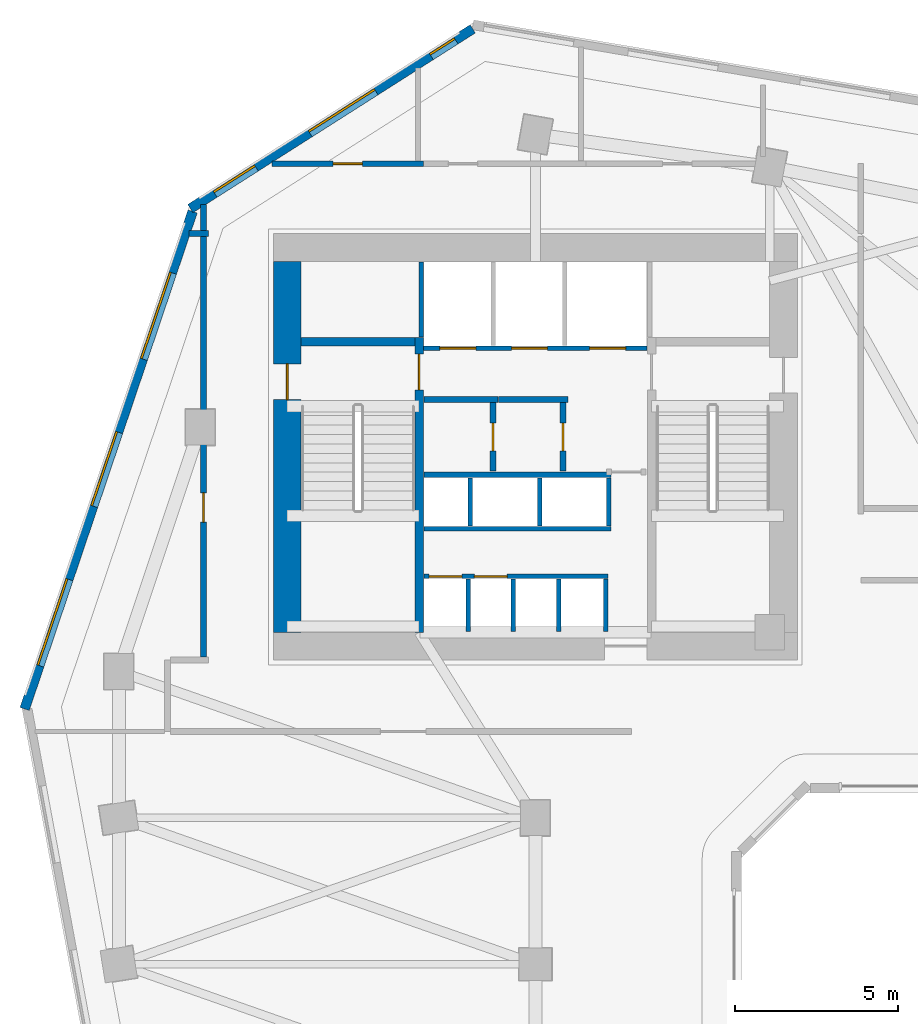
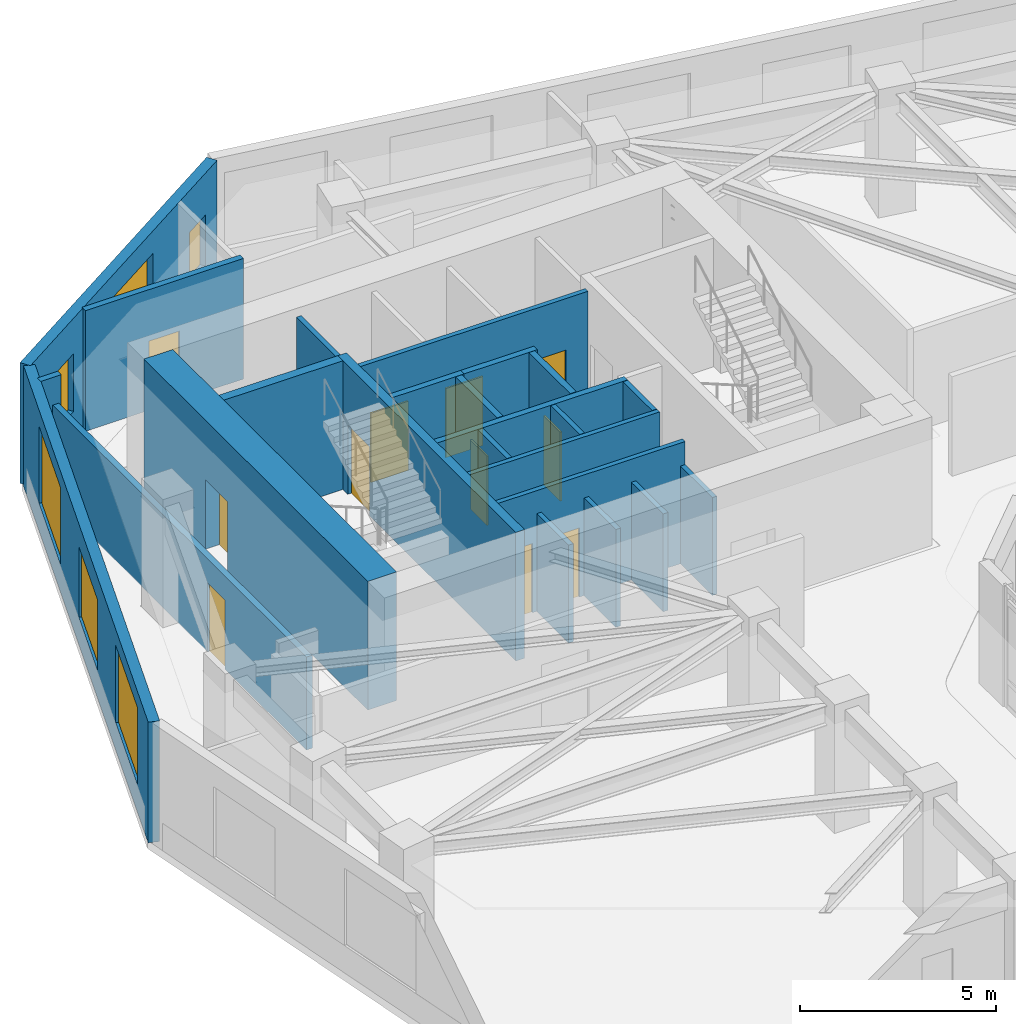
# One storey, part 6 of 11: 24 walls, 11 doors, 6 windows, 17 openings.
"""IFC4 building model written with IfcOpenShell, lengths in metres."""

from ifc_helpers import new_model, si_unit, direction, frame, frame_2d, origin, place, context, subcontext, project, spatial, rectangle, extrude, source, transform, mapped, material, layer, layer_set, type_object, element, fill, save


model = new_model("IFC4")

# Units and contexts
model_context = context("Model", 3, precision=1e-05, world=origin(), true_north=direction((0.0, 1.0)))
body_context = subcontext(model_context, "Body", "Model", "MODEL_VIEW")
ifc_project = project(units=[si_unit("LENGTHUNIT", "METRE"), si_unit("AREAUNIT", "SQUARE_METRE"), si_unit("VOLUMEUNIT", "CUBIC_METRE"), si_unit("PLANEANGLEUNIT", "RADIAN"), si_unit("MASSUNIT", "GRAM", prefix="KILO")], contexts=[model_context])

# Site, building, storey
site_placement = place(None, origin())
site = spatial("IfcSite", under=ifc_project, at=site_placement, CompositionType="ELEMENT")
building_placement = place(site_placement, origin())
building = spatial("IfcBuilding", under=site, at=building_placement, Name="Calvemar Wedge Station Tower", CompositionType="ELEMENT")
storey_placement = place(building_placement, frame((0.0, 0.0, 35.0)))
storey = spatial("IfcBuildingStorey", under=building, at=storey_placement, Name="L08", CompositionType="ELEMENT", Elevation=35.0)

# Wall, opening, door
ifc_material_1 = material(Name="Concrete C50", Category="concrete")
ifc_layer_1 = layer(ifc_material_1, 0.260009765625)
ifc_layer_set_1 = layer_set([ifc_layer_1], Name="Concrete C50")
wall_type_1 = type_object("IfcWallType", Name="SW-CORE-260", PredefinedType="SHEAR", material=ifc_layer_set_1)
wall_1_placement = place(storey_placement, frame((20.22998046875, 34.199951171875, 0.0), z_axis=(0.0, 0.0, 1.0), x_axis=(0.0, 1.0, 0.0)))
wall_1 = element("IfcWall", 1, at=wall_1_placement, inside=storey, type_object=wall_type_1, Name="Storey L08 Core Shear Wall SPINE-W", PredefinedType="SHEAR", context=body_context, shape_type="SweptSolid", body=[
    extrude(rectangle(XDim=9.06005859375, YDim=0.260009765625, at=frame_2d((4.530029296875, 0.0))), origin(), (0.0, 0.0, 1.0), 4.0),
])
shared_shape_1 = source(origin(), body_context, "Body", "SweptSolid", [
    extrude(rectangle(XDim=1.10009765625, YDim=2.14990234375, at=frame_2d((0.550048828125, 1.074951171875))), frame((0.0, 0.14013671875, 0.0), z_axis=(0.0, -1.0, 0.0), x_axis=(1.0, 0.0, 0.0)), (0.0, 0.0, 1.0), 0.280029296875),
])
opening_1_placement = place(wall_1_placement, frame((7.449951171875, 0.0, 0.0)))
opening_1 = element("IfcOpeningElement", 2, at=opening_1_placement, cuts=wall_1, Name="Opening FD-90", PredefinedType="OPENING", context=body_context, shape_type="MappedRepresentation", body=[
    mapped(shared_shape_1, transform((0.0, 0.0, 0.0), scale=1.0)),
])
ifc_material_2 = material(Name="Galvanized fire-rated steel door leaf P-90", Category="steel")
door_type_1 = type_object("IfcDoorType", Name="DR-FD90-1100", OperationType="NOTDEFINED", PredefinedType="DOOR", material=ifc_material_2)
shared_shape_2 = source(origin(), body_context, "Body", "SweptSolid", [
    extrude(rectangle(XDim=1.10009765625, YDim=2.14990234375, at=frame_2d((0.550048828125, 1.074951171875))), frame((0.0, 0.02490234375, 0.0), z_axis=(0.0, -1.0, 0.0), x_axis=(1.0, 0.0, 0.0)), (0.0, 0.0, 1.0), 0.050048828125),
])
door_1_placement = place(opening_1_placement, origin())
door_1 = element("IfcDoor", 3, at=door_1_placement, inside=storey, type_object=door_type_1, Name="L08 FF Lobby to Stair ST-C1 Door", OperationType="SINGLE_SWING_LEFT", OverallHeight=2.14990234375, OverallWidth=1.10009765625, PredefinedType="DOOR", context=body_context, shape_type="MappedRepresentation", body=[
    mapped(shared_shape_2, transform((0.0, 0.0, 0.0), scale=1.0)),
])
fill(opening_1, door_1)

# Wall
wall_2_placement = place(storey_placement, frame((16.60009765625, 43.1298828125, 0.0), z_axis=(0.0, 0.0, 1.0), x_axis=(1.0, 0.0, 0.0)))
element("IfcWall", 4, at=wall_2_placement, inside=storey, type_object=wall_type_1, Name="Storey L08 Core Shear Wall STC1-N", PredefinedType="SHEAR", context=body_context, shape_type="SweptSolid", body=[
    extrude(rectangle(XDim=3.5, YDim=0.260009765625, at=frame_2d((1.75, 0.0))), origin(), (0.0, 0.0, 1.0), 4.0),
])

# Wall, opening, door
ifc_material_3 = material(Name="Concrete C80", Category="concrete")
ifc_layer_2 = layer(ifc_material_3, 0.85009765625)
ifc_layer_set_2 = layer_set([ifc_layer_2], Name="Concrete C80")
wall_type_2 = type_object("IfcWallType", Name="SW-CORE-850", PredefinedType="SHEAR", material=ifc_layer_set_2)
wall_3_placement = place(storey_placement, frame((16.175048828125, 34.199951171875, 0.0), z_axis=(0.0, 0.0, 1.0), x_axis=(0.0, 1.0, 0.0)))
wall_3 = element("IfcWall", 5, at=wall_3_placement, inside=storey, type_object=wall_type_2, Name="Storey L08 Core Shear Wall W", PredefinedType="SHEAR", context=body_context, shape_type="SweptSolid", body=[
    extrude(rectangle(XDim=11.400146484375, YDim=0.85009765625, at=frame_2d((5.7001953125, 0.0))), origin(), (0.0, 0.0, 1.0), 4.0),
])
shared_shape_3 = source(origin(), body_context, "Body", "SweptSolid", [
    extrude(rectangle(XDim=1.10009765625, YDim=2.14990234375, at=frame_2d((0.550048828125, 1.074951171875))), frame((0.0, 0.43505859375, 0.0), z_axis=(0.0, -1.0, 0.0), x_axis=(1.0, 0.0, 0.0)), (0.0, 0.0, 1.0), 0.8701171875),
])
opening_2_placement = place(wall_3_placement, frame((7.14990234375, 0.0, 0.0)))
opening_2 = element("IfcOpeningElement", 6, at=opening_2_placement, cuts=wall_3, Name="Opening FD-90", PredefinedType="OPENING", context=body_context, shape_type="MappedRepresentation", body=[
    mapped(shared_shape_3, transform((0.0, 0.0, 0.0), scale=1.0)),
])
door_2_placement = place(opening_2_placement, origin())
door_2 = element("IfcDoor", 7, at=door_2_placement, inside=storey, type_object=door_type_1, Name="L08 West Corridor to Exit Stair ST-C1 Door", OperationType="SINGLE_SWING_LEFT", OverallHeight=2.14990234375, OverallWidth=1.10009765625, PredefinedType="DOOR", context=body_context, shape_type="MappedRepresentation", body=[
    mapped(shared_shape_2, transform((0.0, 0.0, 0.0), scale=1.0)),
])
fill(opening_2, door_2)

# Walls
ifc_material_4 = material(Name="Double-stud fire-rated corridor partition")
ifc_layer_3 = layer(ifc_material_4, 0.179931640625)
ifc_layer_set_3 = layer_set([ifc_layer_3], Name="Double-stud fire-rated corridor partition")
wall_type_3 = type_object("IfcWallType", Name="W-CORR-180", PredefinedType="PARTITIONING", material=ifc_layer_set_3)
wall_4_placement = place(storey_placement, frame((22.659912109375, 41.35009765625, 0.0), z_axis=(0.0, 0.0, 1.0), x_axis=(-1.0, 0.0, 0.0)))
element("IfcWall", 8, at=wall_4_placement, inside=storey, type_object=wall_type_3, Name="Storey L08 Interior Partition WL-L08-001", PredefinedType="PARTITIONING", context=body_context, shape_type="SweptSolid", body=[
    extrude(rectangle(XDim=2.280029296875, YDim=0.179931640625, at=frame_2d((1.14013671875, 0.0))), origin(), (0.0, 0.0, 1.0), 3.75),
])
wall_5_placement = place(storey_placement, frame((24.81005859375, 41.35009765625, 0.0), z_axis=(0.0, 0.0, 1.0), x_axis=(-1.0, 0.0, 0.0)))
element("IfcWall", 9, at=wall_5_placement, inside=storey, type_object=wall_type_3, Name="Storey L08 Interior Partition WL-L08-002", PredefinedType="PARTITIONING", context=body_context, shape_type="SweptSolid", body=[
    extrude(rectangle(XDim=2.14794921875, YDim=0.179931640625, at=frame_2d((1.073974609375, 0.0))), origin(), (0.0, 0.0, 1.0), 3.75),
])

# Wall, opening, door
wall_6_placement = place(storey_placement, frame((22.5, 41.256103515625, 0.0), z_axis=(0.0, 0.0, 1.0), x_axis=(0.0, -1.0, 0.0)))
wall_6 = element("IfcWall", 10, at=wall_6_placement, inside=storey, type_object=wall_type_3, Name="Storey L08 Interior Partition WL-L08-003", PredefinedType="PARTITIONING", context=body_context, shape_type="SweptSolid", body=[
    extrude(rectangle(XDim=2.106201171875, YDim=0.179931640625, at=frame_2d((1.05322265625, 0.0))), origin(), (0.0, 0.0, 1.0), 3.75),
])
shared_shape_4 = source(origin(), body_context, "Body", "SweptSolid", [
    extrude(rectangle(XDim=0.85009765625, YDim=2.14990234375, at=frame_2d((0.425048828125, 1.074951171875))), frame((0.0, 0.10009765625, 0.0), z_axis=(0.0, -1.0, 0.0), x_axis=(1.0, 0.0, 0.0)), (0.0, 0.0, 1.0), 0.199951171875),
])
opening_3_placement = place(wall_6_placement, frame((0.6279296875, 0.0, 0.0)))
opening_3 = element("IfcOpeningElement", 11, at=opening_3_placement, cuts=wall_6, Name="Opening FD-60S", PredefinedType="OPENING", context=body_context, shape_type="MappedRepresentation", body=[
    mapped(shared_shape_4, transform((0.0, 0.0, 0.0), scale=1.0)),
])
ifc_material_5 = material(Name="Fire-rated steel and hardwood service door EI 60", Category="steel")
door_type_2 = type_object("IfcDoorType", Name="DR-CORE-FD60-850", OperationType="NOTDEFINED", PredefinedType="DOOR", material=ifc_material_5)
shared_shape_5 = source(origin(), body_context, "Body", "SweptSolid", [
    extrude(rectangle(XDim=0.85009765625, YDim=2.14990234375, at=frame_2d((0.425048828125, 1.074951171875))), frame((0.0, 0.02490234375, 0.0), z_axis=(0.0, -1.0, 0.0), x_axis=(1.0, 0.0, 0.0)), (0.0, 0.0, 1.0), 0.050048828125),
])
door_3_placement = place(opening_3_placement, origin())
door_3 = element("IfcDoor", 12, at=door_3_placement, inside=storey, type_object=door_type_2, Name="L08 IT and Telecoms Room Door", OperationType="SINGLE_SWING_LEFT", OverallHeight=2.14990234375, OverallWidth=0.85009765625, PredefinedType="DOOR", context=body_context, shape_type="MappedRepresentation", body=[
    mapped(shared_shape_5, transform((0.0, 0.0, 0.0), scale=1.0)),
])
fill(opening_3, door_3)

wall_7_placement = place(storey_placement, frame((24.64990234375, 41.256103515625, 0.0), z_axis=(0.0, 0.0, 1.0), x_axis=(0.0, -1.0, 0.0)))
wall_7 = element("IfcWall", 13, at=wall_7_placement, inside=storey, type_object=wall_type_3, Name="Storey L08 Interior Partition WL-L08-004", PredefinedType="PARTITIONING", context=body_context, shape_type="SweptSolid", body=[
    extrude(rectangle(XDim=2.106201171875, YDim=0.179931640625, at=frame_2d((1.05322265625, 0.0))), origin(), (0.0, 0.0, 1.0), 3.75),
])
opening_4_placement = place(wall_7_placement, frame((0.6279296875, 0.0, 0.0)))
opening_4 = element("IfcOpeningElement", 14, at=opening_4_placement, cuts=wall_7, Name="Opening FD-60S", PredefinedType="OPENING", context=body_context, shape_type="MappedRepresentation", body=[
    mapped(shared_shape_4, transform((0.0, 0.0, 0.0), scale=1.0)),
])
door_4_placement = place(opening_4_placement, origin())
door_4 = element("IfcDoor", 15, at=door_4_placement, inside=storey, type_object=door_type_2, Name="L08 Core Equipment Store Door", OperationType="SINGLE_SWING_RIGHT", OverallHeight=2.14990234375, OverallWidth=0.85009765625, PredefinedType="DOOR", context=body_context, shape_type="MappedRepresentation", body=[
    mapped(shared_shape_5, transform((0.0, 0.0, 0.0), scale=1.0)),
])
fill(opening_4, door_4)

wall_8_placement = place(storey_placement, frame((13.60009765625, 33.444091796875, 0.0), z_axis=(0.0, 0.0, 1.0), x_axis=(0.0, 1.0, 0.0)))
wall_8 = element("IfcWall", 16, at=wall_8_placement, inside=storey, type_object=wall_type_3, Name="Storey L08 Interior Partition WL-L08-009", PredefinedType="PARTITIONING", context=body_context, shape_type="SweptSolid", body=[
    extrude(rectangle(XDim=13.896240234375, YDim=0.179931640625, at=frame_2d((6.9482421875, 0.0))), origin(), (0.0, 0.0, 1.0), 2.89208984375),
])
shared_shape_6 = source(origin(), body_context, "Body", "SweptSolid", [
    extrude(rectangle(XDim=0.89990234375, YDim=2.14990234375, at=frame_2d((0.449951171875, 1.074951171875))), frame((0.0, 0.10009765625, 0.0), z_axis=(0.0, -1.0, 0.0), x_axis=(1.0, 0.0, 0.0)), (0.0, 0.0, 1.0), 0.199951171875),
])
opening_5_placement = place(wall_8_placement, frame((4.143798828125, 0.0, 0.0)))
opening_5 = element("IfcOpeningElement", 17, at=opening_5_placement, cuts=wall_8, Name="Opening D-01", PredefinedType="OPENING", context=body_context, shape_type="MappedRepresentation", body=[
    mapped(shared_shape_6, transform((0.0, 0.0, 0.0), scale=1.0)),
])
ifc_material_6 = material(Name="Architectural hardwood acoustic swing door", Category="wood")
door_type_3 = type_object("IfcDoorType", Name="DR-INT-900", OperationType="NOTDEFINED", PredefinedType="DOOR", material=ifc_material_6)
shared_shape_7 = source(origin(), body_context, "Body", "SweptSolid", [
    extrude(rectangle(XDim=0.89990234375, YDim=2.14990234375, at=frame_2d((0.449951171875, 1.074951171875))), frame((0.0, 0.02490234375, 0.0), z_axis=(0.0, -1.0, 0.0), x_axis=(1.0, 0.0, 0.0)), (0.0, 0.0, 1.0), 0.050048828125),
])
door_5_placement = place(opening_5_placement, origin())
door_5 = element("IfcDoor", 18, at=door_5_placement, inside=storey, type_object=door_type_3, Name="L08 Co-Working Studio Door", OperationType="SINGLE_SWING_RIGHT", OverallHeight=2.14990234375, OverallWidth=0.89990234375, PredefinedType="DOOR", context=body_context, shape_type="MappedRepresentation", body=[
    mapped(shared_shape_7, transform((0.0, 0.0, 0.0), scale=1.0)),
])
fill(opening_5, door_5)

# Wall
wall_9_placement = place(storey_placement, frame((13.760009765625, 46.449951171875, 0.0), z_axis=(0.0, 0.0, 1.0), x_axis=(-1.0, 0.0, 0.0)))
element("IfcWall", 19, at=wall_9_placement, inside=storey, type_object=wall_type_3, Name="Storey L08 Interior Partition WL-L08-010", PredefinedType="PARTITIONING", context=body_context, shape_type="SweptSolid", body=[
    extrude(rectangle(XDim=0.60107421875, YDim=0.179931640625, at=frame_2d((0.300537109375, 0.0))), origin(), (0.0, 0.0, 1.0), 3.75),
])

# Wall, opening, door
wall_10_placement = place(storey_placement, frame((15.709716796875, 48.60009765625, 0.0), z_axis=(0.0, 0.0, 1.0), x_axis=(1.0, 0.0, 0.0)))
wall_10 = element("IfcWall", 20, at=wall_10_placement, inside=storey, type_object=wall_type_3, Name="Storey L08 Interior Partition WL-L08-011", PredefinedType="PARTITIONING", context=body_context, shape_type="SweptSolid", body=[
    extrude(rectangle(XDim=4.650390625, YDim=0.179931640625, at=frame_2d((2.3251953125, 0.0))), origin(), (0.0, 0.0, 1.0), 3.75),
])
opening_6_placement = place(wall_10_placement, frame((1.875, 0.0, 0.0)))
opening_6 = element("IfcOpeningElement", 21, at=opening_6_placement, cuts=wall_10, Name="Opening D-01", PredefinedType="OPENING", context=body_context, shape_type="MappedRepresentation", body=[
    mapped(shared_shape_6, transform((0.0, 0.0, 0.0), scale=1.0)),
])
door_6_placement = place(opening_6_placement, origin())
door_6 = element("IfcDoor", 22, at=door_6_placement, inside=storey, type_object=door_type_3, Name="L08 Male Toilet Door", OperationType="SINGLE_SWING_LEFT", OverallHeight=2.14990234375, OverallWidth=0.89990234375, PredefinedType="DOOR", context=body_context, shape_type="MappedRepresentation", body=[
    mapped(shared_shape_7, transform((0.0, 0.0, 0.0), scale=1.0)),
])
fill(opening_6, door_6)

# Wall, openings, windows
ifc_material_7 = material(Name="Precast concrete C45", Category="concrete")
ifc_layer_4 = layer(ifc_material_7, 0.300048828125)
ifc_layer_set_4 = layer_set([ifc_layer_4], Name="Precast concrete C45")
wall_type_4 = type_object("IfcWallType", Name="W-EXT-GFRC-300", PredefinedType="SOLIDWALL", material=ifc_layer_set_4)
wall_11_placement = place(storey_placement, frame((21.875, 52.742919921875, 0.0), z_axis=(0.0, 0.0, 1.0), x_axis=(-0.843647802826, -0.536896996441, 0.0)))
wall_11 = element("IfcWall", 23, at=wall_11_placement, inside=storey, type_object=wall_type_4, Name="Storey L08 Bronze GFRC Exterior Wall 11", PredefinedType="SOLIDWALL", context=body_context, shape_type="SweptSolid", body=[
    extrude(rectangle(XDim=10.284423828125, YDim=0.300048828125, at=frame_2d((5.14208984375, 0.0))), origin(), (0.0, 0.0, 1.0), 3.75),
])
shared_shape_8 = source(origin(), body_context, "Body", "SweptSolid", [
    extrude(rectangle(XDim=0.89990234375, YDim=1.60009765625, at=frame_2d((0.449951171875, 0.800048828125))), frame((0.0, 0.16015625, 0.0), z_axis=(0.0, -1.0, 0.0), x_axis=(1.0, 0.0, 0.0)), (0.0, 0.0, 1.0), 0.320068359375),
])
opening_7_placement = place(wall_11_placement, frame((0.62890625, 0.0, 0.85009765625)))
opening_7 = element("IfcOpeningElement", 24, at=opening_7_placement, cuts=wall_11, Name="Opening W7", PredefinedType="OPENING", context=body_context, shape_type="MappedRepresentation", body=[
    mapped(shared_shape_8, transform((0.0, 0.0, 0.0), scale=1.0)),
])
shared_shape_9 = source(origin(), body_context, "Body", "SweptSolid", [
    extrude(rectangle(XDim=2.39990234375, YDim=2.199951171875, at=frame_2d((1.199951171875, 1.10009765625))), frame((0.0, 0.16015625, 0.0), z_axis=(0.0, -1.0, 0.0), x_axis=(1.0, 0.0, 0.0)), (0.0, 0.0, 1.0), 0.320068359375),
])
opening_8_placement = place(wall_11_placement, frame((3.5419921875, 0.0, 0.85009765625)))
opening_8 = element("IfcOpeningElement", 25, at=opening_8_placement, cuts=wall_11, Name="Opening W1", PredefinedType="OPENING", context=body_context, shape_type="MappedRepresentation", body=[
    mapped(shared_shape_9, transform((0.0, 0.0, 0.0), scale=1.0)),
])
shared_shape_10 = source(origin(), body_context, "Body", "SweptSolid", [
    extrude(rectangle(XDim=1.5, YDim=1.800048828125, at=frame_2d((0.75, 0.89990234375))), frame((0.0, 0.16015625, 0.0), z_axis=(0.0, -1.0, 0.0), x_axis=(1.0, 0.0, 0.0)), (0.0, 0.0, 1.0), 0.320068359375),
])
opening_9_placement = place(wall_11_placement, frame((7.904052734375, 0.0, 0.85009765625)))
opening_9 = element("IfcOpeningElement", 26, at=opening_9_placement, cuts=wall_11, Name="Opening W3", PredefinedType="OPENING", context=body_context, shape_type="MappedRepresentation", body=[
    mapped(shared_shape_10, transform((0.0, 0.0, 0.0), scale=1.0)),
])
ifc_material_8 = material(Name="Low-E laminated insulated glass", Category="glass")
window_type_1 = type_object("IfcWindowType", Name="WIN-EXT-1", PartitioningType="SINGLE_PANEL", PredefinedType="WINDOW", material=ifc_material_8)
shared_shape_11 = source(origin(), body_context, "Body", "SweptSolid", [
    extrude(rectangle(XDim=2.39990234375, YDim=2.199951171875, at=frame_2d((1.199951171875, 1.10009765625))), frame((0.0, -0.014892578125, 0.0), z_axis=(0.0, -1.0, 0.0), x_axis=(1.0, 0.0, 0.0)), (0.0, 0.0, 1.0), 0.06005859375),
])
window_1_placement = place(opening_8_placement, origin())
window_1 = element("IfcWindow", 27, at=window_1_placement, inside=storey, type_object=window_type_1, Name="Storey L08 Recessed Window 11.2", OverallHeight=2.199951171875, OverallWidth=2.39990234375, PartitioningType="SINGLE_PANEL", PredefinedType="WINDOW", context=body_context, shape_type="MappedRepresentation", body=[
    mapped(shared_shape_11, transform((0.0, 0.0, 0.0), scale=1.0)),
])
fill(opening_8, window_1)
window_type_2 = type_object("IfcWindowType", Name="WIN-EXT-3", PartitioningType="SINGLE_PANEL", PredefinedType="WINDOW", material=ifc_material_8)
shared_shape_12 = source(origin(), body_context, "Body", "SweptSolid", [
    extrude(rectangle(XDim=1.5, YDim=1.800048828125, at=frame_2d((0.75, 0.89990234375))), frame((0.0, -0.014892578125, 0.0), z_axis=(0.0, -1.0, 0.0), x_axis=(1.0, 0.0, 0.0)), (0.0, 0.0, 1.0), 0.06005859375),
])
window_2_placement = place(opening_9_placement, origin())
window_2 = element("IfcWindow", 28, at=window_2_placement, inside=storey, type_object=window_type_2, Name="Storey L08 Recessed Window 11.3", OverallHeight=1.800048828125, OverallWidth=1.5, PartitioningType="SINGLE_PANEL", PredefinedType="WINDOW", context=body_context, shape_type="MappedRepresentation", body=[
    mapped(shared_shape_12, transform((0.0, 0.0, 0.0), scale=1.0)),
])
fill(opening_9, window_2)
window_type_3 = type_object("IfcWindowType", Name="WIN-EXT-7", PartitioningType="SINGLE_PANEL", PredefinedType="WINDOW", material=ifc_material_8)
shared_shape_13 = source(origin(), body_context, "Body", "SweptSolid", [
    extrude(rectangle(XDim=0.89990234375, YDim=1.60009765625, at=frame_2d((0.449951171875, 0.800048828125))), frame((0.0, -0.014892578125, 0.0), z_axis=(0.0, -1.0, 0.0), x_axis=(1.0, 0.0, 0.0)), (0.0, 0.0, 1.0), 0.06005859375),
])
window_3_placement = place(opening_7_placement, origin())
window_3 = element("IfcWindow", 29, at=window_3_placement, inside=storey, type_object=window_type_3, Name="Storey L08 Recessed Window 11.1", OverallHeight=1.60009765625, OverallWidth=0.89990234375, PartitioningType="SINGLE_PANEL", PredefinedType="WINDOW", context=body_context, shape_type="MappedRepresentation", body=[
    mapped(shared_shape_13, transform((0.0, 0.0, 0.0), scale=1.0)),
])
fill(opening_7, window_3)

wall_12_placement = place(storey_placement, frame((13.2685546875, 47.1337890625, 0.0), z_axis=(0.0, 0.0, 1.0), x_axis=(-0.319920423265, -0.947444416722, 0.0)))
wall_12 = element("IfcWall", 30, at=wall_12_placement, inside=storey, type_object=wall_type_4, Name="Storey L08 Bronze GFRC Exterior Wall 12", PredefinedType="SOLIDWALL", context=body_context, shape_type="SweptSolid", body=[
    extrude(rectangle(XDim=16.134765625, YDim=0.300048828125, at=frame_2d((8.0673828125, 0.0))), origin(), (0.0, 0.0, 1.0), 3.75),
])
shared_shape_14 = source(origin(), body_context, "Body", "SweptSolid", [
    extrude(rectangle(XDim=2.800048828125, YDim=2.39990234375, at=frame_2d((1.39990234375, 1.199951171875))), frame((0.0, 0.16015625, 0.0), z_axis=(0.0, -1.0, 0.0), x_axis=(1.0, 0.0, 0.0)), (0.0, 0.0, 1.0), 0.320068359375),
])
opening_10_placement = place(wall_12_placement, frame((1.988037109375, 0.0, 0.85009765625)))
opening_10 = element("IfcOpeningElement", 31, at=opening_10_placement, cuts=wall_12, Name="Opening W6", PredefinedType="OPENING", context=body_context, shape_type="MappedRepresentation", body=[
    mapped(shared_shape_14, transform((0.0, 0.0, 0.0), scale=1.0)),
])
opening_11_placement = place(wall_12_placement, frame((7.158935546875, 0.0, 0.85009765625)))
opening_11 = element("IfcOpeningElement", 32, at=opening_11_placement, cuts=wall_12, Name="Opening W1", PredefinedType="OPENING", context=body_context, shape_type="MappedRepresentation", body=[
    mapped(shared_shape_9, transform((0.0, 0.0, 0.0), scale=1.0)),
])
opening_12_placement = place(wall_12_placement, frame((11.929931640625, 0.0, 0.85009765625)))
opening_12 = element("IfcOpeningElement", 33, at=opening_12_placement, cuts=wall_12, Name="Opening W6", PredefinedType="OPENING", context=body_context, shape_type="MappedRepresentation", body=[
    mapped(shared_shape_14, transform((0.0, 0.0, 0.0), scale=1.0)),
])
window_type_4 = type_object("IfcWindowType", Name="WIN-EXT-6", PartitioningType="SINGLE_PANEL", PredefinedType="WINDOW", material=ifc_material_8)
shared_shape_15 = source(origin(), body_context, "Body", "SweptSolid", [
    extrude(rectangle(XDim=2.800048828125, YDim=2.39990234375, at=frame_2d((1.39990234375, 1.199951171875))), frame((0.0, -0.014892578125, 0.0), z_axis=(0.0, -1.0, 0.0), x_axis=(1.0, 0.0, 0.0)), (0.0, 0.0, 1.0), 0.06005859375),
])
window_4_placement = place(opening_10_placement, origin())
window_4 = element("IfcWindow", 34, at=window_4_placement, inside=storey, type_object=window_type_4, Name="Storey L08 Recessed Window 12.1", OverallHeight=2.39990234375, OverallWidth=2.800048828125, PartitioningType="SINGLE_PANEL", PredefinedType="WINDOW", context=body_context, shape_type="MappedRepresentation", body=[
    mapped(shared_shape_15, transform((0.0, 0.0, 0.0), scale=1.0)),
])
fill(opening_10, window_4)
window_5_placement = place(opening_12_placement, origin())
window_5 = element("IfcWindow", 35, at=window_5_placement, inside=storey, type_object=window_type_4, Name="Storey L08 Recessed Window 12.3", OverallHeight=2.39990234375, OverallWidth=2.800048828125, PartitioningType="SINGLE_PANEL", PredefinedType="WINDOW", context=body_context, shape_type="MappedRepresentation", body=[
    mapped(shared_shape_15, transform((0.0, 0.0, 0.0), scale=1.0)),
])
fill(opening_12, window_5)
window_6_placement = place(opening_11_placement, origin())
window_6 = element("IfcWindow", 36, at=window_6_placement, inside=storey, type_object=window_type_1, Name="Storey L08 Recessed Window 12.2", OverallHeight=2.199951171875, OverallWidth=2.39990234375, PartitioningType="SINGLE_PANEL", PredefinedType="WINDOW", context=body_context, shape_type="MappedRepresentation", body=[
    mapped(shared_shape_11, transform((0.0, 0.0, 0.0), scale=1.0)),
])
fill(opening_11, window_6)

# Wall, openings, doors
ifc_material_9 = material(Name="Reinforced concrete blockwork lift shaft wall", Category="masonry")
ifc_layer_5 = layer(ifc_material_9, 0.139892578125)
ifc_layer_set_5 = layer_set([ifc_layer_5], Name="Reinforced concrete blockwork lift shaft wall")
wall_type_5 = type_object("IfcWallType", Name="W-LIFT-160", PredefinedType="SOLIDWALL", material=ifc_layer_set_5)
wall_13_placement = place(storey_placement, frame((20.3701171875, 42.929931640625, 0.0), z_axis=(0.0, 0.0, 1.0), x_axis=(1.0, 0.0, 0.0)))
wall_13 = element("IfcWall", 37, at=wall_13_placement, inside=storey, type_object=wall_type_5, Name="Storey L08 Firefighting and Service Lift Shaft Front Wall", PredefinedType="SOLIDWALL", context=body_context, shape_type="SweptSolid", body=[
    extrude(rectangle(XDim=6.85986328125, YDim=0.139892578125, at=frame_2d((3.429931640625, 0.0))), origin(), (0.0, 0.0, 1.0), 3.75),
])
shared_shape_16 = source(origin(), body_context, "Body", "SweptSolid", [
    extrude(rectangle(XDim=1.10009765625, YDim=2.14990234375, at=frame_2d((0.550048828125, 1.074951171875))), frame((0.0, 0.080078125, 0.0), z_axis=(0.0, -1.0, 0.0), x_axis=(1.0, 0.0, 0.0)), (0.0, 0.0, 1.0), 0.159912109375),
])
opening_13_placement = place(wall_13_placement, frame((0.5, 0.0, 0.0)))
opening_13 = element("IfcOpeningElement", 38, at=opening_13_placement, cuts=wall_13, Name="Opening LD-FF", PredefinedType="OPENING", context=body_context, shape_type="MappedRepresentation", body=[
    mapped(shared_shape_16, transform((0.0, 0.0, 0.0), scale=1.0)),
])
opening_14_placement = place(wall_13_placement, frame((2.699951171875, 0.0, 0.0)))
opening_14 = element("IfcOpeningElement", 39, at=opening_14_placement, cuts=wall_13, Name="Opening LD-FF", PredefinedType="OPENING", context=body_context, shape_type="MappedRepresentation", body=[
    mapped(shared_shape_16, transform((0.0, 0.0, 0.0), scale=1.0)),
])
opening_15_placement = place(wall_13_placement, frame((5.10009765625, 0.0, 0.0)))
opening_15 = element("IfcOpeningElement", 40, at=opening_15_placement, cuts=wall_13, Name="Opening LD-STN", PredefinedType="OPENING", context=body_context, shape_type="MappedRepresentation", body=[
    mapped(shared_shape_16, transform((0.0, 0.0, 0.0), scale=1.0)),
])
ifc_material_10 = material(Name="Stainless steel firefighting lift sliding landing door", Category="steel")
door_type_4 = type_object("IfcDoorType", Name="DR-LD-FF-1100", OperationType="SLIDING_TO_LEFT", PredefinedType="DOOR", material=ifc_material_10)
shared_shape_17 = source(origin(), body_context, "Body", "SweptSolid", [
    extrude(rectangle(XDim=1.10009765625, YDim=2.14990234375, at=frame_2d((0.550048828125, 1.074951171875))), frame((0.0, 0.02490234375, 0.0), z_axis=(0.0, -1.0, 0.0), x_axis=(1.0, 0.0, 0.0)), (0.0, 0.0, 1.0), 0.050048828125),
])
door_7_placement = place(opening_13_placement, origin())
door_7 = element("IfcDoor", 41, at=door_7_placement, inside=storey, type_object=door_type_4, Name="L08 Lift FF-01 Sliding Landing Door", OperationType="SLIDING_TO_LEFT", OverallHeight=2.14990234375, OverallWidth=1.10009765625, PredefinedType="DOOR", context=body_context, shape_type="MappedRepresentation", body=[
    mapped(shared_shape_17, transform((0.0, 0.0, 0.0), scale=1.0)),
])
fill(opening_13, door_7)
door_8_placement = place(opening_14_placement, origin())
door_8 = element("IfcDoor", 42, at=door_8_placement, inside=storey, type_object=door_type_4, Name="L08 Lift FF-02 Sliding Landing Door", OperationType="SLIDING_TO_RIGHT", OverallHeight=2.14990234375, OverallWidth=1.10009765625, PredefinedType="DOOR", context=body_context, shape_type="MappedRepresentation", body=[
    mapped(shared_shape_17, transform((0.0, 0.0, 0.0), scale=1.0)),
])
fill(opening_14, door_8)
ifc_material_11 = material(Name="Stainless steel transit lift sliding landing door", Category="steel")
door_type_5 = type_object("IfcDoorType", Name="DR-LD-PAX-1100", OperationType="SLIDING_TO_LEFT", PredefinedType="DOOR", material=ifc_material_11)
shared_shape_18 = source(origin(), body_context, "Body", "SweptSolid", [
    extrude(rectangle(XDim=1.10009765625, YDim=2.14990234375, at=frame_2d((0.550048828125, 1.074951171875))), frame((0.0, 0.02490234375, 0.0), z_axis=(0.0, -1.0, 0.0), x_axis=(1.0, 0.0, 0.0)), (0.0, 0.0, 1.0), 0.050048828125),
])
door_9_placement = place(opening_15_placement, origin())
door_9 = element("IfcDoor", 43, at=door_9_placement, inside=storey, type_object=door_type_5, Name="L08 Lift SV-01 Sliding Landing Door", OperationType="SLIDING_TO_LEFT", OverallHeight=2.14990234375, OverallWidth=1.10009765625, PredefinedType="DOOR", context=body_context, shape_type="MappedRepresentation", body=[
    mapped(shared_shape_18, transform((0.0, 0.0, 0.0), scale=1.0)),
])
fill(opening_15, door_9)

# Wall
wall_14_placement = place(storey_placement, frame((20.2900390625, 43.280029296875, 0.0), z_axis=(0.0, 0.0, 1.0), x_axis=(0.0, 1.0, 0.0)))
element("IfcWall", 44, at=wall_14_placement, inside=storey, type_object=wall_type_5, Name="Storey L08 Firefighting Lift Shaft Enclosure Wall W", PredefinedType="SOLIDWALL", context=body_context, shape_type="SweptSolid", body=[
    extrude(rectangle(XDim=2.300048828125, YDim=0.139892578125, at=frame_2d((1.14990234375, 0.0))), origin(), (0.0, 0.0, 1.0), 3.75),
])

# Wall, openings, doors
wall_15_placement = place(storey_placement, frame((20.3798828125, 35.919921875, 0.0), z_axis=(0.0, 0.0, 1.0), x_axis=(1.0, 0.0, 0.0)))
wall_15 = element("IfcWall", 45, at=wall_15_placement, inside=storey, type_object=wall_type_5, Name="Storey L08 South Passenger Lift Bank Front Wall", PredefinedType="SOLIDWALL", context=body_context, shape_type="SweptSolid", body=[
    extrude(rectangle(XDim=5.650146484375, YDim=0.139892578125, at=frame_2d((2.8251953125, 0.0))), origin(), (0.0, 0.0, 1.0), 3.75),
])
shared_shape_19 = source(origin(), body_context, "Body", "SweptSolid", [
    extrude(rectangle(XDim=1.0, YDim=2.14990234375, at=frame_2d((0.5, 1.074951171875))), frame((0.0, 0.080078125, 0.0), z_axis=(0.0, -1.0, 0.0), x_axis=(1.0, 0.0, 0.0)), (0.0, 0.0, 1.0), 0.159912109375),
])
opening_16_placement = place(wall_15_placement, frame((0.159912109375, 0.0, 0.0)))
opening_16 = element("IfcOpeningElement", 46, at=opening_16_placement, cuts=wall_15, Name="Opening LD-PAX", PredefinedType="OPENING", context=body_context, shape_type="MappedRepresentation", body=[
    mapped(shared_shape_19, transform((0.0, 0.0, 0.0), scale=1.0)),
])
opening_17_placement = place(wall_15_placement, frame((1.550048828125, 0.0, 0.0)))
opening_17 = element("IfcOpeningElement", 47, at=opening_17_placement, cuts=wall_15, Name="Opening LD-PAX", PredefinedType="OPENING", context=body_context, shape_type="MappedRepresentation", body=[
    mapped(shared_shape_19, transform((0.0, 0.0, 0.0), scale=1.0)),
])
ifc_material_12 = material(Name="Anodised bronze passenger lift sliding landing door")
door_type_6 = type_object("IfcDoorType", Name="DR-LD-PAX-1000", OperationType="SLIDING_TO_LEFT", PredefinedType="DOOR", material=ifc_material_12)
shared_shape_20 = source(origin(), body_context, "Body", "SweptSolid", [
    extrude(rectangle(XDim=1.0, YDim=2.14990234375, at=frame_2d((0.5, 1.074951171875))), frame((0.0, 0.02490234375, 0.0), z_axis=(0.0, -1.0, 0.0), x_axis=(1.0, 0.0, 0.0)), (0.0, 0.0, 1.0), 0.050048828125),
])
door_10_placement = place(opening_16_placement, origin())
door_10 = element("IfcDoor", 48, at=door_10_placement, inside=storey, type_object=door_type_6, Name="L08 Lift OL-01 Sliding Landing Door", OperationType="SLIDING_TO_LEFT", OverallHeight=2.14990234375, OverallWidth=1.0, PredefinedType="DOOR", context=body_context, shape_type="MappedRepresentation", body=[
    mapped(shared_shape_20, transform((0.0, 0.0, 0.0), scale=1.0)),
])
fill(opening_16, door_10)
door_11_placement = place(opening_17_placement, origin())
door_11 = element("IfcDoor", 49, at=door_11_placement, inside=storey, type_object=door_type_6, Name="L08 Lift OL-02 Sliding Landing Door", OperationType="SLIDING_TO_RIGHT", OverallHeight=2.14990234375, OverallWidth=1.0, PredefinedType="DOOR", context=body_context, shape_type="MappedRepresentation", body=[
    mapped(shared_shape_20, transform((0.0, 0.0, 0.0), scale=1.0)),
])
fill(opening_17, door_11)

# Walls
for number, where, z_axis, x_axis, name in (
    (50, (25.9599609375, 34.219970703125, 0.0), (0.0, 0.0, 1.0), (0.0, 1.0, 0.0), "Storey L08 South Passenger Lift Shaft Wall E"),
    (51, (21.735107421875, 34.219970703125, 0.0), (0.0, 0.0, 1.0), (0.0, 1.0, 0.0), "Storey L08 South Passenger Lift Shaft Wall D1"),
    (52, (23.125, 34.219970703125, 0.0), (0.0, 0.0, 1.0), (0.0, 1.0, 0.0), "Storey L08 South Passenger Lift Shaft Wall D2"),
    (53, (24.514892578125, 34.219970703125, 0.0), (0.0, 0.0, 1.0), (0.0, 1.0, 0.0), "Storey L08 South Passenger Lift Shaft Wall D3"),
):
    element("IfcWall", number, at=place(storey_placement, frame(where, z_axis=z_axis, x_axis=x_axis)), inside=storey, type_object=wall_type_5, Name=name, PredefinedType="SOLIDWALL", context=body_context, shape_type="SweptSolid", body=[
        extrude(rectangle(XDim=1.6201171875, YDim=0.139892578125, at=frame_2d((0.81005859375, 0.0))), origin(), (0.0, 0.0, 1.0), 3.0419921875),
    ])
wall_16_placement = place(storey_placement, frame((20.3798828125, 37.3798828125, 0.0), z_axis=(0.0, 0.0, 1.0), x_axis=(1.0, 0.0, 0.0)))
element("IfcWall", 54, at=wall_16_placement, inside=storey, type_object=wall_type_5, Name="Storey L08 Upper Passenger Lift Bank Front Wall", PredefinedType="SOLIDWALL", context=body_context, shape_type="SweptSolid", body=[
    extrude(rectangle(XDim=5.75, YDim=0.139892578125, at=frame_2d((2.875, 0.0))), origin(), (0.0, 0.0, 1.0), 3.75),
])
for number, where, z_axis, x_axis, name in (
    (55, (26.06005859375, 37.4599609375, 0.0), (0.0, 0.0, 1.0), (0.0, 1.0, 0.0), "Storey L08 Upper Passenger Lift Shaft Wall E"),
    (56, (21.794921875, 37.4599609375, 0.0), (0.0, 0.0, 1.0), (0.0, 1.0, 0.0), "Storey L08 Upper Passenger Lift Shaft Wall D1"),
    (57, (23.93505859375, 37.4599609375, 0.0), (0.0, 0.0, 1.0), (0.0, 1.0, 0.0), "Storey L08 Upper Passenger Lift Shaft Wall D2"),
):
    element("IfcWall", number, at=place(storey_placement, frame(where, z_axis=z_axis, x_axis=x_axis)), inside=storey, type_object=wall_type_5, Name=name, PredefinedType="SOLIDWALL", context=body_context, shape_type="SweptSolid", body=[
        extrude(rectangle(XDim=1.47998046875, YDim=0.139892578125, at=frame_2d((0.739990234375, 0.0))), origin(), (0.0, 0.0, 1.0), 3.75),
    ])
ifc_material_13 = material(Name="Concrete blockwork and fireboard shaft wall", Category="masonry")
ifc_layer_6 = layer(ifc_material_13, 0.199951171875)
ifc_layer_set_6 = layer_set([ifc_layer_6], Name="Concrete blockwork and fireboard shaft wall")
wall_type_6 = type_object("IfcWallType", Name="W-SHAFT-200", PredefinedType="SOLIDWALL", material=ifc_layer_set_6)
wall_17_placement = place(storey_placement, frame((20.3798828125, 39.0400390625, 0.0), z_axis=(0.0, 0.0, 1.0), x_axis=(1.0, 0.0, 0.0)))
element("IfcWall", 58, at=wall_17_placement, inside=storey, type_object=wall_type_6, Name="Storey L08 Upper Passenger Lift Bank Rear Shaft Wall", PredefinedType="SOLIDWALL", context=body_context, shape_type="SweptSolid", body=[
    extrude(rectangle(XDim=5.75, YDim=0.179931640625, at=frame_2d((2.875, 0.0))), origin(), (0.0, 0.0, 1.0), 3.75),
])

save(model, "model.ifc")
